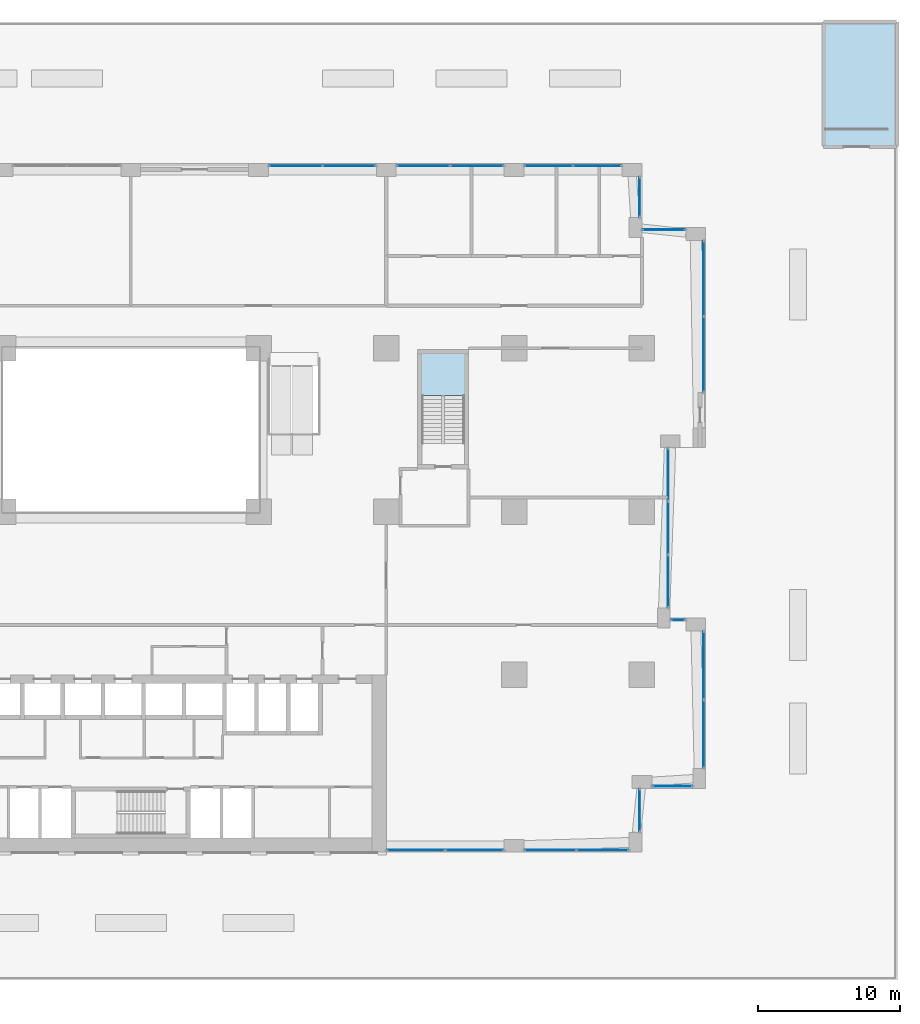
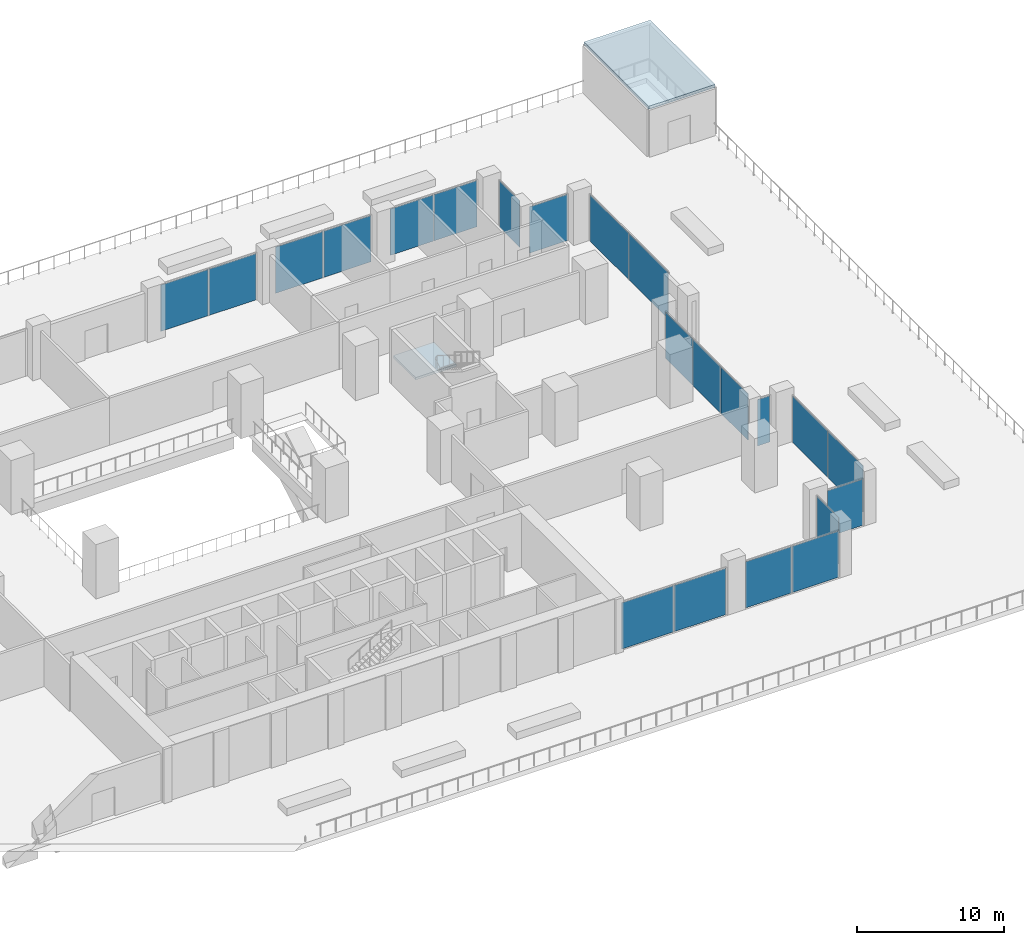
# One storey, part 11 of 19: 22 plates, 2 slabs, 14 elements without a shape of their own.
"""IFC4 building model written with IfcOpenShell, lengths in metres."""

import ifcopenshell
import ifcopenshell.guid

model = None  # the IFC model being written
_history = None  # IfcOwnerHistory: only IFC2X3 demands one
_inside = {}  # id of a spatial element -> (the spatial element, [elements in it])
_under = {}  # id of a project, library or spatial element -> (it, [spatial elements below it])
_declared = {}  # id of a project -> (the project, [libraries it declares])
_typed = {}  # id of a type object -> (the type object, [elements of that type])
_made_of = {}  # id of a material, layer set ... -> (it, [elements and type objects made of it])


def new_model(schema):
    """Start an empty IFC model of exactly this schema.

    Asked for "IFC4X3", IfcOpenShell would pick the latest addendum, in which some entities
    have other attributes; the version numbers below select the first issue.
    IFC2X3 requires an IfcOwnerHistory on every rooted entity: one is made here for all.
    """
    global model, _history
    if schema == "IFC4X3":
        model = ifcopenshell.file(schema_version=(4, 3, 0, 0))
    else:
        model = ifcopenshell.file(schema=schema)
    _inside.clear()
    _under.clear()
    _declared.clear()
    _typed.clear()
    _made_of.clear()
    _history = None
    if model.schema == "IFC2X3":
        org = make("IfcOrganization", Name="unknown")
        user = make(
            "IfcPersonAndOrganization",
            ThePerson=make("IfcPerson", FamilyName="unknown"),
            TheOrganization=org,
        )
        app = make(
            "IfcApplication",
            ApplicationDeveloper=org,
            Version="unknown",
            ApplicationFullName="unknown",
            ApplicationIdentifier="unknown",
        )
        _history = make(
            "IfcOwnerHistory",
            OwningUser=user,
            OwningApplication=app,
            ChangeAction="ADDED",
            CreationDate=0,
        )
    return model


def make(cls, **values):
    """One entity of the class cls with the attributes given. An attribute that is None is left unset."""
    return model.create_entity(
        cls, **{name: value for name, value in values.items() if value is not None}
    )


def rooted(cls, **values):
    """An entity with a GlobalId (a new one), such as an element, a storey or a relation."""
    return make(cls, GlobalId=ifcopenshell.guid.new(), OwnerHistory=_history, **values)


def si_unit(unit_type, name, prefix=None):
    """IfcSIUnit, for example si_unit("LENGTHUNIT", "METRE", prefix="MILLI")."""
    return make("IfcSIUnit", UnitType=unit_type, Prefix=prefix, Name=name)


def assignment(units):
    """IfcUnitAssignment: the units of a project."""
    return None if units is None else make("IfcUnitAssignment", Units=units)


def point(xyz):
    """IfcCartesianPoint."""
    return None if xyz is None else make("IfcCartesianPoint", Coordinates=xyz)


def direction(xyz):
    """IfcDirection."""
    return None if xyz is None else make("IfcDirection", DirectionRatios=xyz)


def frame(location, z_axis=None, x_axis=None):
    """IfcAxis2Placement3D, a coordinate frame: its origin and axes. An axis left out is left unset."""
    return make(
        "IfcAxis2Placement3D",
        Location=point(location),
        Axis=direction(z_axis),
        RefDirection=direction(x_axis),
    )


def frame_2d(location, x_axis=None):
    """IfcAxis2Placement2D, a coordinate frame in the plane: its origin and x axis."""
    return make(
        "IfcAxis2Placement2D", Location=point(location), RefDirection=direction(x_axis)
    )


def origin():
    """The frame at (0, 0, 0) with its axes left unset."""
    return frame((0.0, 0.0, 0.0))


def origin_2d():
    """The frame at (0, 0) in the plane with its x axis left unset."""
    return frame_2d((0.0, 0.0))


def place(relative_to, where):
    """IfcLocalPlacement: puts the frame where relative to a parent placement (None: the world)."""
    return make(
        "IfcLocalPlacement", PlacementRelTo=relative_to, RelativePlacement=where
    )


def context(
    kind, dimensions, precision=None, world=None, true_north=None, identifier=None
):
    """IfcGeometricRepresentationContext, for example the 3D "Model" context."""
    return make(
        "IfcGeometricRepresentationContext",
        ContextIdentifier=identifier,
        ContextType=kind,
        CoordinateSpaceDimension=dimensions,
        Precision=precision,
        WorldCoordinateSystem=world,
        TrueNorth=true_north,
    )


def subcontext(parent, identifier, kind, view, scale=None):
    """IfcGeometricRepresentationSubContext, for example "Body" below "Model"."""
    return make(
        "IfcGeometricRepresentationSubContext",
        ContextIdentifier=identifier,
        ContextType=kind,
        ParentContext=parent,
        TargetScale=scale,
        TargetView=view,
    )


def project(units=None, contexts=None):
    """IfcProject with its units and contexts."""
    return rooted(
        "IfcProject",
        Name="project",
        RepresentationContexts=contexts,
        UnitsInContext=assignment(units),
    )


def spatial(cls, under=None, at=None, **own):
    """A site, building, storey or space (cls), placed at a placement, below another one or the project."""
    s = rooted(cls, ObjectPlacement=at, **own)
    if under is not None:
        _under.setdefault(under.id(), (under, []))[1].append(s)
    return s


def polyline(points):
    """IfcPolyline through the points."""
    return make("IfcPolyline", Points=[point(p) for p in points])


def profile(cls, at=None, kind="AREA", **sizes):
    """A parametric profile (cls). Its sizes go by their IFC names, for example OverallWidth=200.0."""
    return make(cls, ProfileType=kind, Position=at, **sizes)


def rectangle(**sizes):
    """IfcRectangleProfileDef."""
    return profile("IfcRectangleProfileDef", **sizes)


def outline(outer, holes=None, kind="AREA"):
    """IfcArbitraryClosedProfileDef: a profile drawn as a closed curve; with holes, ...WithVoids."""
    if holes is None:
        return make("IfcArbitraryClosedProfileDef", ProfileType=kind, OuterCurve=outer)
    return make(
        "IfcArbitraryProfileDefWithVoids",
        ProfileType=kind,
        OuterCurve=outer,
        InnerCurves=holes,
    )


def extrude(swept, where, along, depth):
    """IfcExtrudedAreaSolid: the profile swept, set in the frame where, extruded along a direction by depth."""
    return make(
        "IfcExtrudedAreaSolid",
        SweptArea=swept,
        Position=where,
        ExtrudedDirection=direction(along),
        Depth=depth,
    )


def shape(context_of_items, identifier, shape_type, items):
    """IfcShapeRepresentation: the items that make up one representation, for example the "Body"."""
    return make(
        "IfcShapeRepresentation",
        ContextOfItems=context_of_items,
        RepresentationIdentifier=identifier,
        RepresentationType=shape_type,
        Items=items,
    )


def material(Name=None, Category=None):
    """IfcMaterial."""
    return make("IfcMaterial", Name=Name, Category=Category)


def layer(
    of_material, thickness, ventilated=None, Name=None, Category=None, Priority=None
):
    """IfcMaterialLayer: one layer of a wall or slab, of a material (None: an air gap)."""
    return make(
        "IfcMaterialLayer",
        Material=of_material,
        LayerThickness=thickness,
        IsVentilated=ventilated,
        Name=Name,
        Category=Category,
        Priority=Priority,
    )


def layer_set(layers, Name=None):
    """IfcMaterialLayerSet."""
    return make("IfcMaterialLayerSet", MaterialLayers=layers, LayerSetName=Name)


def made_of(thing, what):
    """Note that an element or type object is made of a material, layer set ...; save() writes the relation."""
    if what is not None:
        _made_of.setdefault(what.id(), (what, []))[1].append(thing)
    return thing


def type_object(cls, material=None, **own):
    """A type object (cls), such as IfcWallType, which elements share."""
    return made_of(rooted(cls, **own), material)


def element(
    cls,
    number,
    at=None,
    inside=None,
    cuts=None,
    type_object=None,
    material=None,
    context=None,
    identifier="Body",
    shape_type=None,
    held_by="IfcProductDefinitionShape",
    body=None,
    shapes=None,
    **own,
):
    """One element of the class cls, such as IfcWall. Its Tag is "e" and its number.

    at: its placement. inside: the storey or other place that contains it. cuts: it is an
    opening in that element (IfcRelVoidsElement). A single representation is given by context,
    identifier, shape_type and body (its items); several are given by shapes. held_by: the class
    of the entity that holds the representations. save() writes the other relations.
    """
    e = rooted(cls, Tag="e%d" % number, ObjectPlacement=at, **own)
    if body is not None:
        shapes = [shape(context, identifier, shape_type, body)]
    if shapes is not None:
        e.Representation = make(held_by, Representations=shapes)
    if inside is not None:
        _inside.setdefault(inside.id(), (inside, []))[1].append(e)
    if cuts is not None:
        rooted(
            "IfcRelVoidsElement", RelatingBuildingElement=cuts, RelatedOpeningElement=e
        )
    if type_object is not None:
        _typed.setdefault(type_object.id(), (type_object, []))[1].append(e)
    return made_of(e, material)


def aggregate(whole, parts):
    """IfcRelAggregates: a whole, such as a stair, and the parts it consists of."""
    return rooted("IfcRelAggregates", RelatingObject=whole, RelatedObjects=parts)


def save(model, path):
    """Write the relations noted so far, then the file.

    IfcRelAggregates (storeys below a building ...), IfcRelContainedInSpatialStructure (elements
    in a storey), IfcRelDefinesByType, IfcRelAssociatesMaterial and IfcRelDeclares: one each for
    every whole, place, type object, material and project.
    """
    for whole, parts in _under.values():
        aggregate(whole, parts)
    for where, things in _inside.values():
        rooted(
            "IfcRelContainedInSpatialStructure",
            RelatedElements=things,
            RelatingStructure=where,
        )
    for kind, things in _typed.values():
        rooted("IfcRelDefinesByType", RelatedObjects=things, RelatingType=kind)
    for what, things in _made_of.values():
        rooted("IfcRelAssociatesMaterial", RelatedObjects=things, RelatingMaterial=what)
    for by, libraries in _declared.values():
        rooted("IfcRelDeclares", RelatingContext=by, RelatedDefinitions=libraries)
    model.write(path)


model = new_model("IFC4")

# Units and contexts
model_context = context("Model", 3, precision=1e-05, world=origin(), true_north=direction((0.0, 1.0)))
body_context = subcontext(model_context, "Body", "Model", "MODEL_VIEW")
ifc_project = project(units=[si_unit("LENGTHUNIT", "METRE"), si_unit("AREAUNIT", "SQUARE_METRE"), si_unit("VOLUMEUNIT", "CUBIC_METRE"), si_unit("PLANEANGLEUNIT", "RADIAN"), si_unit("MASSUNIT", "GRAM", prefix="KILO")], contexts=[model_context])

# Site, building, storey
site_placement = place(None, origin())
site = spatial("IfcSite", under=ifc_project, at=site_placement, CompositionType="ELEMENT")
building_placement = place(site_placement, origin())
building = spatial("IfcBuilding", under=site, at=building_placement, Name="Brigalow Station Residences", CompositionType="ELEMENT")
storey_placement = place(building_placement, frame((0.0, 0.0, 11.0)))
storey = spatial("IfcBuildingStorey", under=building, at=storey_placement, Name="L02", CompositionType="ELEMENT", Elevation=11.0)

# Curtain wall, plates
ifc_material_1 = material(Name="Aluminium", Category="aluminium")
ifc_layer_1 = layer(ifc_material_1, 0.199951171875)
ifc_layer_set_1 = layer_set([ifc_layer_1], Name="PODIUM UNITISED GLAZING CURTAIN WALL")
curtain_wall_type = type_object("IfcCurtainWallType", Name="PODIUM UNITISED GLAZING CURTAIN WALL", PredefinedType="NOTDEFINED", material=ifc_layer_set_1)
curtain_wall_1_placement = place(storey_placement, origin())
curtain_wall_1 = element("IfcCurtainWall", 1, at=curtain_wall_1_placement, inside=storey, type_object=curtain_wall_type, Name="L02/cw/podium-W-L02-5-2", PredefinedType="NOTDEFINED")
ifc_material_2 = material(Name="Laminated low-emissivity double-glazed unit")
ifc_layer_2 = layer(ifc_material_2, 0.0400390625)
ifc_layer_set_2 = layer_set([ifc_layer_2], Name="PODIUM UNITISED GLAZING PANEL 40")
plate_type = type_object("IfcPlateType", Name="PODIUM UNITISED GLAZING PANEL 40", PredefinedType="CURTAIN_PANEL", material=ifc_layer_set_2)
plate_1_placement = place(storey_placement, frame((56.09130859375, 0.14990234375, 0.0), z_axis=(0.0, 0.0, 1.0), x_axis=(1.0, 0.0, 0.0)))
plate_1 = element("IfcPlate", 2, at=plate_1_placement, type_object=plate_type, Name="L02/cw/podium-W-L02-5-2/P00-00", PredefinedType="CURTAIN_PANEL", context=body_context, shape_type="SweptSolid", body=[
    extrude(rectangle(XDim=4.052490234375, YDim=0.0400390625, at=origin_2d()), origin(), (0.0, 0.0, 1.0), 3.8349609375),
])
plate_2_placement = place(storey_placement, frame((60.208740234375, 0.14990234375, 0.0), z_axis=(0.0, 0.0, 1.0), x_axis=(1.0, 0.0, 0.0)))
plate_2 = element("IfcPlate", 3, at=plate_2_placement, type_object=plate_type, Name="L02/cw/podium-W-L02-5-2/P01-00", PredefinedType="CURTAIN_PANEL", context=body_context, shape_type="SweptSolid", body=[
    extrude(rectangle(XDim=4.052490234375, YDim=0.0400390625, at=origin_2d()), origin(), (0.0, 0.0, 1.0), 3.8349609375),
])
aggregate(curtain_wall_1, [plate_1, plate_2])

curtain_wall_2_placement = place(storey_placement, origin())
curtain_wall_2 = element("IfcCurtainWall", 4, at=curtain_wall_2_placement, inside=storey, type_object=curtain_wall_type, Name="L02/cw/podium-W-L02-5-3", PredefinedType="NOTDEFINED")
plate_3_placement = place(storey_placement, frame((65.566162109375, 0.14990234375, 0.0), z_axis=(0.0, 0.0, 1.0), x_axis=(1.0, 0.0, 0.0)))
plate_3 = element("IfcPlate", 5, at=plate_3_placement, type_object=plate_type, Name="L02/cw/podium-W-L02-5-3/P00-00", PredefinedType="CURTAIN_PANEL", context=body_context, shape_type="SweptSolid", body=[
    extrude(rectangle(XDim=3.6025390625, YDim=0.0400390625, at=origin_2d()), origin(), (0.0, 0.0, 1.0), 3.8349609375),
])
plate_4_placement = place(storey_placement, frame((69.23388671875, 0.14990234375, 0.0), z_axis=(0.0, 0.0, 1.0), x_axis=(1.0, 0.0, 0.0)))
plate_4 = element("IfcPlate", 6, at=plate_4_placement, type_object=plate_type, Name="L02/cw/podium-W-L02-5-3/P01-00", PredefinedType="CURTAIN_PANEL", context=body_context, shape_type="SweptSolid", body=[
    extrude(rectangle(XDim=3.6025390625, YDim=0.0400390625, at=origin_2d()), origin(), (0.0, 0.0, 1.0), 3.8349609375),
])
aggregate(curtain_wall_2, [plate_3, plate_4])

# Curtain wall, plate
curtain_wall_3_placement = place(storey_placement, origin())
curtain_wall_3 = element("IfcCurtainWall", 7, at=curtain_wall_3_placement, inside=storey, type_object=curtain_wall_type, Name="L02/cw/podium-W-L02-9-4", PredefinedType="NOTDEFINED")
plate_5_placement = place(storey_placement, frame((71.85009765625, 2.949951171875, 0.0), z_axis=(0.0, 0.0, 1.0), x_axis=(0.0, 1.0, 0.0)))
plate_5 = element("IfcPlate", 8, at=plate_5_placement, type_object=plate_type, Name="L02/cw/podium-W-L02-9-4/P00-00", PredefinedType="CURTAIN_PANEL", context=body_context, shape_type="SweptSolid", body=[
    extrude(rectangle(XDim=2.969970703125, YDim=0.0400390625, at=origin_2d()), origin(), (0.0, 0.0, 1.0), 3.8349609375),
])
aggregate(curtain_wall_3, [plate_5])

curtain_wall_4_placement = place(storey_placement, origin())
curtain_wall_4 = element("IfcCurtainWall", 9, at=curtain_wall_4_placement, inside=storey, type_object=curtain_wall_type, Name="L02/cw/podium-W-L02-10-5", PredefinedType="NOTDEFINED")
plate_6_placement = place(storey_placement, frame((74.14990234375, 4.64990234375, 0.0), z_axis=(0.0, 0.0, 1.0), x_axis=(1.0, 0.0, 0.0)))
plate_6 = element("IfcPlate", 10, at=plate_6_placement, type_object=plate_type, Name="L02/cw/podium-W-L02-10-5/P00-00", PredefinedType="CURTAIN_PANEL", context=body_context, shape_type="SweptSolid", body=[
    extrude(rectangle(XDim=2.77001953125, YDim=0.0400390625, at=origin_2d()), origin(), (0.0, 0.0, 1.0), 3.8349609375),
])
aggregate(curtain_wall_4, [plate_6])

# Curtain wall, plates
curtain_wall_5_placement = place(storey_placement, origin())
curtain_wall_5 = element("IfcCurtainWall", 11, at=curtain_wall_5_placement, inside=storey, type_object=curtain_wall_type, Name="L02/cw/podium-W-L02-11-6", PredefinedType="NOTDEFINED")
plate_7_placement = place(storey_placement, frame((76.35009765625, 8.34130859375, 0.0), z_axis=(0.0, 0.0, 1.0), x_axis=(0.0, 1.0, 0.0)))
plate_7 = element("IfcPlate", 12, at=plate_7_placement, type_object=plate_type, Name="L02/cw/podium-W-L02-11-6/P00-00", PredefinedType="CURTAIN_PANEL", context=body_context, shape_type="SweptSolid", body=[
    extrude(rectangle(XDim=4.75244140625, YDim=0.0400390625, at=origin_2d()), origin(), (0.0, 0.0, 1.0), 3.8349609375),
])
plate_8_placement = place(storey_placement, frame((76.35009765625, 13.15869140625, 0.0), z_axis=(0.0, 0.0, 1.0), x_axis=(0.0, 1.0, 0.0)))
plate_8 = element("IfcPlate", 13, at=plate_8_placement, type_object=plate_type, Name="L02/cw/podium-W-L02-11-6/P01-00", PredefinedType="CURTAIN_PANEL", context=body_context, shape_type="SweptSolid", body=[
    extrude(rectangle(XDim=4.75244140625, YDim=0.0400390625, at=origin_2d()), origin(), (0.0, 0.0, 1.0), 3.8349609375),
])
aggregate(curtain_wall_5, [plate_7, plate_8])

# Curtain wall, plate
curtain_wall_6_placement = place(storey_placement, origin())
curtain_wall_6 = element("IfcCurtainWall", 14, at=curtain_wall_6_placement, inside=storey, type_object=curtain_wall_type, Name="L02/cw/podium-W-L02-14-7", PredefinedType="NOTDEFINED")
plate_9_placement = place(storey_placement, frame((74.550048828125, 16.35009765625, 0.0), z_axis=(0.0, 0.0, 1.0), x_axis=(-1.0, 0.0, 0.0)))
plate_9 = element("IfcPlate", 15, at=plate_9_placement, type_object=plate_type, Name="L02/cw/podium-W-L02-14-7/P00-00", PredefinedType="CURTAIN_PANEL", context=body_context, shape_type="SweptSolid", body=[
    extrude(rectangle(XDim=0.969970703125, YDim=0.0400390625, at=origin_2d()), origin(), (0.0, 0.0, 1.0), 3.8349609375),
])
aggregate(curtain_wall_6, [plate_9])

# Curtain wall, plates
curtain_wall_7_placement = place(storey_placement, origin())
curtain_wall_7 = element("IfcCurtainWall", 16, at=curtain_wall_7_placement, inside=storey, type_object=curtain_wall_type, Name="L02/cw/podium-W-L02-15-8", PredefinedType="NOTDEFINED")
plate_10_placement = place(storey_placement, frame((73.85009765625, 19.099609375, 0.0), z_axis=(0.0, 0.0, 1.0), x_axis=(0.0, 1.0, 0.0)))
plate_10 = element("IfcPlate", 17, at=plate_10_placement, type_object=plate_type, Name="L02/cw/podium-W-L02-15-8/P00-00", PredefinedType="CURTAIN_PANEL", context=body_context, shape_type="SweptSolid", body=[
    extrude(rectangle(XDim=3.669189453125, YDim=0.0400390625, at=origin_2d()), origin(), (0.0, 0.0, 1.0), 3.8349609375),
])
plate_11_placement = place(storey_placement, frame((73.85009765625, 22.85009765625, 0.0), z_axis=(0.0, 0.0, 1.0), x_axis=(0.0, 1.0, 0.0)))
plate_11 = element("IfcPlate", 18, at=plate_11_placement, type_object=plate_type, Name="L02/cw/podium-W-L02-15-8/P01-00", PredefinedType="CURTAIN_PANEL", context=body_context, shape_type="SweptSolid", body=[
    extrude(rectangle(XDim=3.70166015625, YDim=0.0400390625, at=origin_2d()), origin(), (0.0, 0.0, 1.0), 3.8349609375),
])
plate_12_placement = place(storey_placement, frame((73.85009765625, 26.600341796875, 0.0), z_axis=(0.0, 0.0, 1.0), x_axis=(0.0, 1.0, 0.0)))
plate_12 = element("IfcPlate", 19, at=plate_12_placement, type_object=plate_type, Name="L02/cw/podium-W-L02-15-8/P02-00", PredefinedType="CURTAIN_PANEL", context=body_context, shape_type="SweptSolid", body=[
    extrude(rectangle(XDim=3.669189453125, YDim=0.0400390625, at=origin_2d()), origin(), (0.0, 0.0, 1.0), 3.8349609375),
])
aggregate(curtain_wall_7, [plate_10, plate_11, plate_12])

curtain_wall_8_placement = place(storey_placement, origin())
curtain_wall_8 = element("IfcCurtainWall", 20, at=curtain_wall_8_placement, inside=storey, type_object=curtain_wall_type, Name="L02/cw/podium-W-L02-19-9", PredefinedType="NOTDEFINED")
plate_13_placement = place(storey_placement, frame((76.35009765625, 35.072509765625, 0.0), z_axis=(0.0, 0.0, 1.0), x_axis=(0.0, 1.0, 0.0)))
plate_13 = element("IfcPlate", 21, at=plate_13_placement, type_object=plate_type, Name="L02/cw/podium-W-L02-19-9/P00-00", PredefinedType="CURTAIN_PANEL", context=body_context, shape_type="SweptSolid", body=[
    extrude(rectangle(XDim=5.264892578125, YDim=0.0400390625, at=origin_2d()), origin(), (0.0, 0.0, 1.0), 3.8349609375),
])
plate_14_placement = place(storey_placement, frame((76.35009765625, 40.402587890625, 0.0), z_axis=(0.0, 0.0, 1.0), x_axis=(0.0, 1.0, 0.0)))
plate_14 = element("IfcPlate", 22, at=plate_14_placement, type_object=plate_type, Name="L02/cw/podium-W-L02-19-9/P01-00", PredefinedType="CURTAIN_PANEL", context=body_context, shape_type="SweptSolid", body=[
    extrude(rectangle(XDim=5.264892578125, YDim=0.0400390625, at=origin_2d()), origin(), (0.0, 0.0, 1.0), 3.8349609375),
])
aggregate(curtain_wall_8, [plate_13, plate_14])

# Curtain wall, plate
curtain_wall_9_placement = place(storey_placement, origin())
curtain_wall_9 = element("IfcCurtainWall", 23, at=curtain_wall_9_placement, inside=storey, type_object=curtain_wall_type, Name="L02/cw/podium-W-L02-23-10", PredefinedType="NOTDEFINED")
plate_15_placement = place(storey_placement, frame((73.550048828125, 43.85009765625, 0.0), z_axis=(0.0, 0.0, 1.0), x_axis=(-1.0, 0.0, 0.0)))
plate_15 = element("IfcPlate", 24, at=plate_15_placement, type_object=plate_type, Name="L02/cw/podium-W-L02-23-10/P00-00", PredefinedType="CURTAIN_PANEL", context=body_context, shape_type="SweptSolid", body=[
    extrude(rectangle(XDim=2.969970703125, YDim=0.0400390625, at=origin_2d()), origin(), (0.0, 0.0, 1.0), 3.8349609375),
])
aggregate(curtain_wall_9, [plate_15])

curtain_wall_10_placement = place(storey_placement, origin())
curtain_wall_10 = element("IfcCurtainWall", 25, at=curtain_wall_10_placement, inside=storey, type_object=curtain_wall_type, Name="L02/cw/podium-W-L02-24-11", PredefinedType="NOTDEFINED")
plate_16_placement = place(storey_placement, frame((71.85009765625, 46.14990234375, 0.0), z_axis=(0.0, 0.0, 1.0), x_axis=(0.0, 1.0, 0.0)))
plate_16 = element("IfcPlate", 26, at=plate_16_placement, type_object=plate_type, Name="L02/cw/podium-W-L02-24-11/P00-00", PredefinedType="CURTAIN_PANEL", context=body_context, shape_type="SweptSolid", body=[
    extrude(rectangle(XDim=2.77001953125, YDim=0.0400390625, at=origin_2d()), origin(), (0.0, 0.0, 1.0), 3.8349609375),
])
aggregate(curtain_wall_10, [plate_16])

# Curtain wall, plates
curtain_wall_11_placement = place(storey_placement, origin())
curtain_wall_11 = element("IfcCurtainWall", 27, at=curtain_wall_11_placement, inside=storey, type_object=curtain_wall_type, Name="L02/cw/podium-W-L02-25-12", PredefinedType="NOTDEFINED")
plate_17_placement = place(storey_placement, frame((68.85888671875, 48.35009765625, 0.0), z_axis=(0.0, 0.0, 1.0), x_axis=(-1.0, 0.0, 0.0)))
plate_17 = element("IfcPlate", 28, at=plate_17_placement, type_object=plate_type, Name="L02/cw/podium-W-L02-25-12/P00-00", PredefinedType="CURTAIN_PANEL", context=body_context, shape_type="SweptSolid", body=[
    extrude(rectangle(XDim=3.3525390625, YDim=0.0400390625, at=origin_2d()), origin(), (0.0, 0.0, 1.0), 3.8349609375),
])
plate_18_placement = place(storey_placement, frame((65.441162109375, 48.35009765625, 0.0), z_axis=(0.0, 0.0, 1.0), x_axis=(-1.0, 0.0, 0.0)))
plate_18 = element("IfcPlate", 29, at=plate_18_placement, type_object=plate_type, Name="L02/cw/podium-W-L02-25-12/P01-00", PredefinedType="CURTAIN_PANEL", context=body_context, shape_type="SweptSolid", body=[
    extrude(rectangle(XDim=3.3525390625, YDim=0.0400390625, at=origin_2d()), origin(), (0.0, 0.0, 1.0), 3.8349609375),
])
aggregate(curtain_wall_11, [plate_17, plate_18])

curtain_wall_12_placement = place(storey_placement, origin())
curtain_wall_12 = element("IfcCurtainWall", 30, at=curtain_wall_12_placement, inside=storey, type_object=curtain_wall_type, Name="L02/cw/podium-W-L02-25-13", PredefinedType="NOTDEFINED")
plate_19_placement = place(storey_placement, frame((60.3837890625, 48.35009765625, 0.0), z_axis=(0.0, 0.0, 1.0), x_axis=(-1.0, 0.0, 0.0)))
plate_19 = element("IfcPlate", 31, at=plate_19_placement, type_object=plate_type, Name="L02/cw/podium-W-L02-25-13/P00-00", PredefinedType="CURTAIN_PANEL", context=body_context, shape_type="SweptSolid", body=[
    extrude(rectangle(XDim=3.702392578125, YDim=0.0400390625, at=origin_2d()), origin(), (0.0, 0.0, 1.0), 3.8349609375),
])
plate_20_placement = place(storey_placement, frame((56.6162109375, 48.35009765625, 0.0), z_axis=(0.0, 0.0, 1.0), x_axis=(-1.0, 0.0, 0.0)))
plate_20 = element("IfcPlate", 32, at=plate_20_placement, type_object=plate_type, Name="L02/cw/podium-W-L02-25-13/P01-00", PredefinedType="CURTAIN_PANEL", context=body_context, shape_type="SweptSolid", body=[
    extrude(rectangle(XDim=3.702392578125, YDim=0.0400390625, at=origin_2d()), origin(), (0.0, 0.0, 1.0), 3.8349609375),
])
aggregate(curtain_wall_12, [plate_19, plate_20])

curtain_wall_13_placement = place(storey_placement, origin())
curtain_wall_13 = element("IfcCurtainWall", 33, at=curtain_wall_13_placement, inside=storey, type_object=curtain_wall_type, Name="L02/cw/podium-W-L02-25-14", PredefinedType="NOTDEFINED")
plate_21_placement = place(storey_placement, frame((51.3837890625, 48.35009765625, 0.0), z_axis=(0.0, 0.0, 1.0), x_axis=(-1.0, 0.0, 0.0)))
plate_21 = element("IfcPlate", 34, at=plate_21_placement, type_object=plate_type, Name="L02/cw/podium-W-L02-25-14/P00-00", PredefinedType="CURTAIN_PANEL", context=body_context, shape_type="SweptSolid", body=[
    extrude(rectangle(XDim=3.702392578125, YDim=0.0400390625, at=origin_2d()), origin(), (0.0, 0.0, 1.0), 3.8349609375),
])
plate_22_placement = place(storey_placement, frame((47.6162109375, 48.35009765625, 0.0), z_axis=(0.0, 0.0, 1.0), x_axis=(-1.0, 0.0, 0.0)))
plate_22 = element("IfcPlate", 35, at=plate_22_placement, type_object=plate_type, Name="L02/cw/podium-W-L02-25-14/P01-00", PredefinedType="CURTAIN_PANEL", context=body_context, shape_type="SweptSolid", body=[
    extrude(rectangle(XDim=3.702392578125, YDim=0.0400390625, at=origin_2d()), origin(), (0.0, 0.0, 1.0), 3.8349609375),
])
aggregate(curtain_wall_13, [plate_21, plate_22])

# Slab
ifc_material_3 = material(Name="Concrete C50", Category="concrete")
ifc_layer_3 = layer(ifc_material_3, 0.25)
ifc_layer_set_3 = layer_set([ifc_layer_3], Name="STAIR HEAD ROOF 250")
slab_type_1 = type_object("IfcSlabType", Name="STAIR HEAD ROOF 250", PredefinedType="ROOF", material=ifc_layer_set_3)
slab_1_placement = place(storey_placement, frame((0.0, 0.0, 3.89990234375)))
element("IfcSlab", 36, at=slab_1_placement, inside=storey, type_object=slab_type_1, Name="Exit stair S5 roof", PredefinedType="ROOF", context=body_context, shape_type="SweptSolid", body=[
    extrude(outline(polyline([(90.0, 49.699951171875), (90.0, 58.5), (84.800048828125, 58.5), (84.800048828125, 49.699951171875), (90.0, 49.699951171875)])), origin(), (0.0, 0.0, 1.0), 0.25),
])

# Stair, slab
ifc_material_4 = material(Name="Concrete C50", Category="concrete")
stair_type = type_object("IfcStairType", Name="EXIT STAIR 1400 2 FLIGHT", PredefinedType="HALF_TURN_STAIR", material=ifc_material_4)
stair_placement = place(storey_placement, origin())
stair = element("IfcStair", 37, at=stair_placement, inside=storey, type_object=stair_type, Name="EXIT STAIR S3 L02", PredefinedType="HALF_TURN_STAIR")
ifc_material_5 = material(Name="Concrete C50", Category="concrete")
ifc_layer_4 = layer(ifc_material_5, 0.199951171875)
ifc_layer_set_4 = layer_set([ifc_layer_4], Name="STAIR LANDING 200")
slab_type_2 = type_object("IfcSlabType", Name="STAIR LANDING 200", PredefinedType="LANDING", material=ifc_layer_set_4)
slab_2_placement = place(storey_placement, frame((0.0, 0.0, 2.050048828125)))
slab_2 = element("IfcSlab", 38, at=slab_2_placement, type_object=slab_type_2, Name="ST-3 landing 1", PredefinedType="LANDING", context=body_context, shape_type="SweptSolid", body=[
    extrude(outline(polyline([(56.39990234375, 32.159912109375), (59.60009765625, 32.159912109375), (59.60009765625, 35.199951171875), (56.39990234375, 35.199951171875), (56.39990234375, 32.159912109375)])), origin(), (0.0, 0.0, 1.0), 0.199951171875),
])
aggregate(stair, [slab_2])

save(model, "model.ifc")
